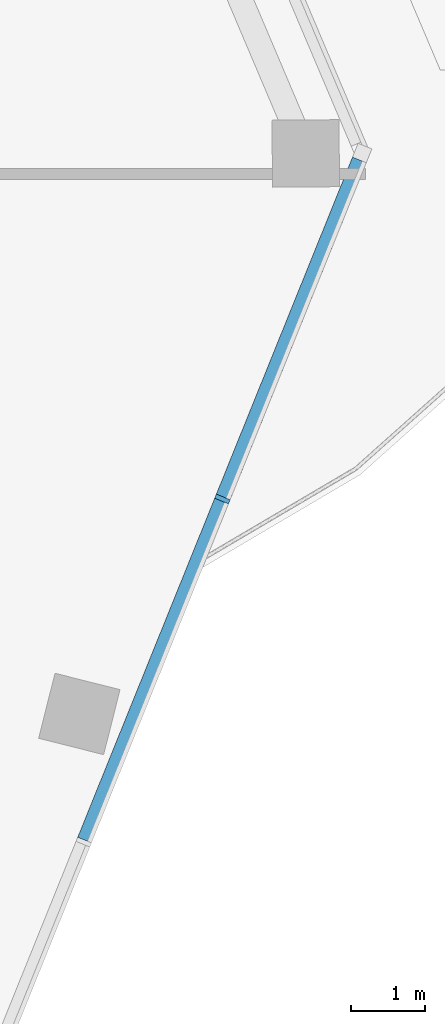
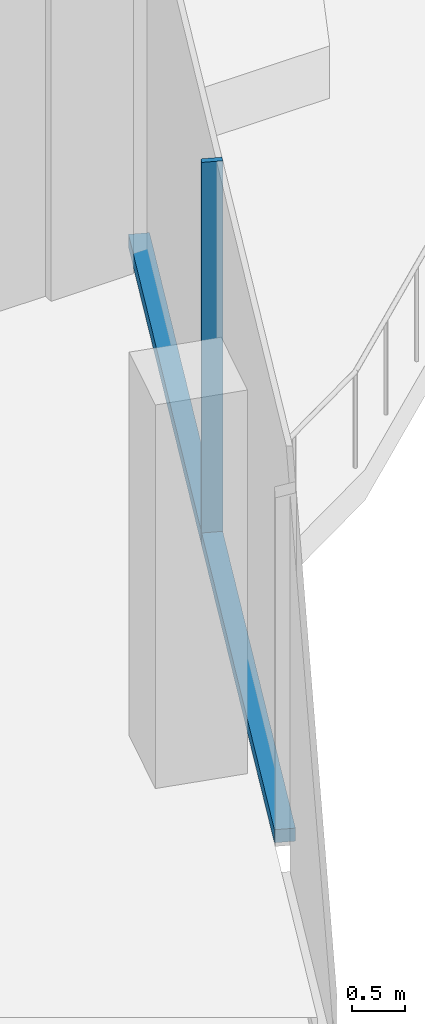
# One storey, part 5 of 15: 2 members, 1 element without a shape of its own.
"""IFC4 building model written with IfcOpenShell, lengths in metres."""

from ifc_helpers import new_model, si_unit, direction, frame, origin, origin_2d, place, context, subcontext, project, spatial, rectangle, extrude, material, material_profile, profile_set, type_object, element, aggregate, save


model = new_model("IFC4")

# Units and contexts
model_context = context("Model", 3, precision=1e-05, world=origin(), true_north=direction((0.0, 1.0)))
body_context = subcontext(model_context, "Body", "Model", "MODEL_VIEW")
ifc_project = project(units=[si_unit("LENGTHUNIT", "METRE"), si_unit("AREAUNIT", "SQUARE_METRE"), si_unit("VOLUMEUNIT", "CUBIC_METRE"), si_unit("PLANEANGLEUNIT", "RADIAN"), si_unit("MASSUNIT", "GRAM", prefix="KILO")], contexts=[model_context])

# Site, building, storey
site_placement = place(None, origin())
site = spatial("IfcSite", under=ifc_project, at=site_placement, CompositionType="ELEMENT")
building_placement = place(site_placement, origin())
building = spatial("IfcBuilding", under=site, at=building_placement, Name="Orlundy Tower", CompositionType="ELEMENT")
storey_placement = place(building_placement, frame((0.0, 0.0, 299.89990234375)))
storey = spatial("IfcBuildingStorey", under=building, at=storey_placement, Name="L80", CompositionType="ELEMENT", Elevation=299.89990234375)

# Curtain wall, members
ifc_material_1 = material(Name="Aluminium bronze anodised", Category="aluminium")
curtain_wall_type = type_object("IfcCurtainWallType", Name="CW4 wall", PredefinedType="NOTDEFINED", material=ifc_material_1)
curtain_wall_placement = place(storey_placement, origin())
curtain_wall = element("IfcCurtainWall", 1, at=curtain_wall_placement, inside=storey, type_object=curtain_wall_type, Name="CW4 run 01", PredefinedType="NOTDEFINED")
ifc_material_2 = material(Name="Aluminium bronze anodised", Category="aluminium")
ifc_material_profile_1 = material_profile(ifc_material_2, rectangle(XDim=0.199951171875, YDim=0.06005859375, at=origin_2d()), Name="CW4 mullion 60x200")
ifc_profile_set_1 = profile_set([ifc_material_profile_1], Name="Aluminium bronze anodised")
member_type_1 = type_object("IfcMemberType", Name="CW4 mullion 60x200", PredefinedType="MULLION", material=ifc_profile_set_1)
member_1_placement = place(storey_placement, frame((30.70166015625, -4.363037109375, 0.0), z_axis=(0.0, 0.0, 1.0), x_axis=(0.927183523653, -0.374607412456, 0.0)))
member_1 = element("IfcMember", 2, at=member_1_placement, type_object=member_type_1, Name="CW4 mullion 7", PredefinedType="MULLION", context=body_context, shape_type="SweptSolid", body=[
    extrude(rectangle(XDim=0.199951171875, YDim=0.06005859375, at=origin_2d()), origin(), (0.0, 0.0, 1.0), 4.400146484375),
])
ifc_material_3 = material(Name="Aluminium bronze anodised", Category="aluminium")
ifc_material_profile_2 = material_profile(ifc_material_3, rectangle(XDim=0.199951171875, YDim=0.14990234375, at=origin_2d()), Name="CW4 transom 200x150")
ifc_profile_set_2 = profile_set([ifc_material_profile_2], Name="Aluminium bronze anodised")
member_type_2 = type_object("IfcMemberType", Name="CW4 transom 200x150", PredefinedType="USERDEFINED", material=ifc_profile_set_2)
member_2_placement = place(storey_placement, frame((32.541748046875, 0.191162109375, 0.0751953125), z_axis=(-0.374597022355, -0.927187721469, 0.0), x_axis=(0.927187721469, -0.374597022355, 0.0)))
member_2 = element("IfcMember", 3, at=member_2_placement, type_object=member_type_2, Name="CW4 transom", ObjectType="TRANSOM", PredefinedType="USERDEFINED", context=body_context, shape_type="SweptSolid", body=[
    extrude(rectangle(XDim=0.199951171875, YDim=0.14990234375, at=origin_2d()), origin(), (0.0, 0.0, 1.0), 9.852294921875),
])
aggregate(curtain_wall, [member_1, member_2])

save(model, "model.ifc")
